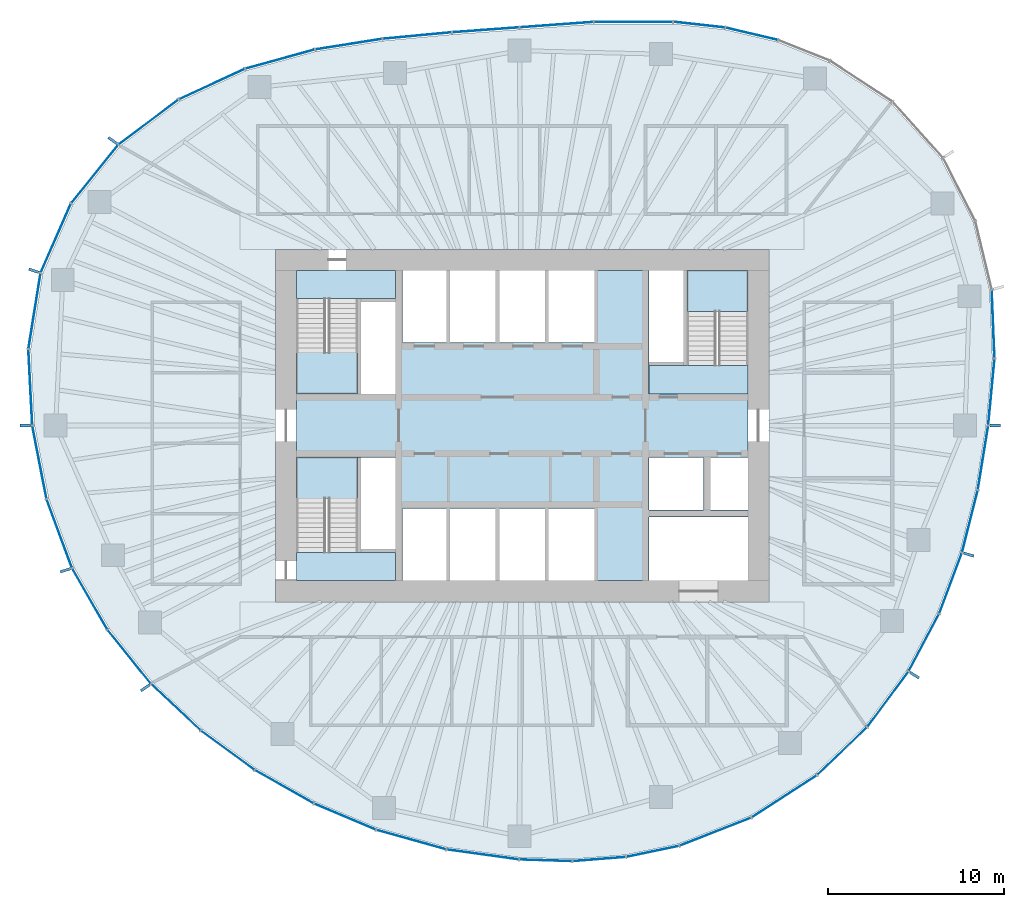
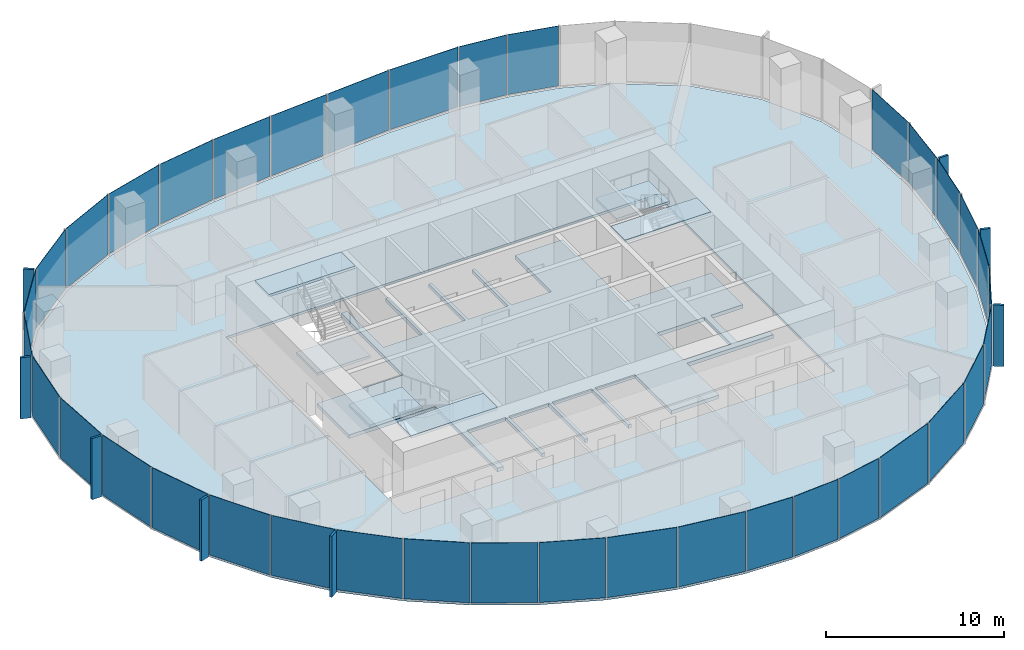
# One storey, part 7 of 12: 45 plates, 8 slabs, 21 elements without a shape of their own.
"""IFC4 building model written with IfcOpenShell, lengths in metres."""

from ifc_helpers import new_model, si_unit, direction, frame, origin, origin_2d, place, context, subcontext, project, spatial, polyline, rectangle, outline, extrude, material, layer, layer_set, type_object, element, aggregate, save


model = new_model("IFC4")

# Units and contexts
model_context = context("Model", 3, precision=1e-05, world=origin(), true_north=direction((0.0, 1.0)))
body_context = subcontext(model_context, "Body", "Model", "MODEL_VIEW")
ifc_project = project(units=[si_unit("LENGTHUNIT", "METRE"), si_unit("AREAUNIT", "SQUARE_METRE"), si_unit("VOLUMEUNIT", "CUBIC_METRE"), si_unit("PLANEANGLEUNIT", "RADIAN"), si_unit("MASSUNIT", "GRAM", prefix="KILO")], contexts=[model_context])

# Site, building, storey
site_placement = place(None, origin())
site = spatial("IfcSite", under=ifc_project, at=site_placement, CompositionType="ELEMENT")
building_placement = place(site_placement, origin())
building = spatial("IfcBuilding", under=site, at=building_placement, Name="Ghaith Harvest Tower", CompositionType="ELEMENT")
storey_placement = place(building_placement, frame((0.0, 0.0, 207.39990234375)))
storey = spatial("IfcBuildingStorey", under=building, at=storey_placement, Name="L45", CompositionType="ELEMENT", Elevation=207.39990234375)

# Curtain wall, plates
ifc_material_1 = material(Name="Black anodised aluminium and fritted glass", Category="aluminium")
curtain_wall_type = type_object("IfcCurtainWallType", Name="CW-H CURTAIN WALL", PredefinedType="NOTDEFINED", material=ifc_material_1)
curtain_wall_1_placement = place(storey_placement, origin())
curtain_wall_1 = element("IfcCurtainWall", 1, at=curtain_wall_1_placement, inside=storey, type_object=curtain_wall_type, Name="Curtain wall CW-H bay 01 L45", PredefinedType="NOTDEFINED")
ifc_material_2 = material(Name="Glass, dark solar-control fritted double glazed unit", Category="glass")
ifc_layer_1 = layer(ifc_material_2, 0.030029296875)
ifc_layer_set_1 = layer_set([ifc_layer_1], Name="CW-H VISION PANEL")
plate_type_1 = type_object("IfcPlateType", Name="CW-H VISION PANEL", PredefinedType="CURTAIN_PANEL", material=ifc_layer_set_1)
plate_1_placement = place(storey_placement, frame((26.624755859375, 1.89794921875, 0.080078125), z_axis=(0.0, 0.0, 1.0), x_axis=(0.094301909937, 0.995543645343, 0.0)))
plate_1 = element("IfcPlate", 2, at=plate_1_placement, type_object=plate_type_1, Name="CW-H glass unit 1 bay 01 L45", PredefinedType="CURTAIN_PANEL", context=body_context, shape_type="SweptSolid", body=[
    extrude(rectangle(XDim=3.73291015625, YDim=0.030029296875, at=origin_2d()), origin(), (0.0, 0.0, 1.0), 4.1201171875),
])
plate_2_placement = place(storey_placement, frame((26.7255859375, 5.74853515625, 0.080078125), z_axis=(0.0, 0.0, 1.0), x_axis=(-0.040462173218, 0.999181070947, 0.0)))
plate_2 = element("IfcPlate", 3, at=plate_2_placement, type_object=plate_type_1, Name="CW-H glass unit 2 bay 01 L45", PredefinedType="CURTAIN_PANEL", context=body_context, shape_type="SweptSolid", body=[
    extrude(rectangle(XDim=3.82861328125, YDim=0.030029296875, at=origin_2d()), origin(), (0.0, 0.0, 1.0), 4.1201171875),
])
aggregate(curtain_wall_1, [plate_1, plate_2])

curtain_wall_2_placement = place(storey_placement, origin())
curtain_wall_2 = element("IfcCurtainWall", 4, at=curtain_wall_2_placement, inside=storey, type_object=curtain_wall_type, Name="Curtain wall CW-H bay 04 L45", PredefinedType="NOTDEFINED")
plate_3_placement = place(storey_placement, frame((13.027099609375, 22.225341796875, 0.080078125), z_axis=(0.0, 0.0, 1.0), x_axis=(-0.973266235028, 0.229679854916, 0.0)))
plate_3 = element("IfcPlate", 5, at=plate_3_placement, type_object=plate_type_1, Name="CW-H glass unit 2 bay 04 L45", PredefinedType="CURTAIN_PANEL", context=body_context, shape_type="SweptSolid", body=[
    extrude(rectangle(XDim=3.00244140625, YDim=0.030029296875, at=origin_2d()), origin(), (0.0, 0.0, 1.0), 4.1201171875),
])
plate_4_placement = place(storey_placement, frame((10.045654296875, 22.744384765625, 0.080078125), z_axis=(0.0, 0.0, 1.0), x_axis=(-0.993865217442, 0.11059805405, 0.0)))
plate_4 = element("IfcPlate", 6, at=plate_4_placement, type_object=plate_type_1, Name="CW-H glass unit 3 bay 04 L45", PredefinedType="CURTAIN_PANEL", context=body_context, shape_type="SweptSolid", body=[
    extrude(rectangle(XDim=2.901123046875, YDim=0.030029296875, at=origin_2d()), origin(), (0.0, 0.0, 1.0), 4.1201171875),
])
aggregate(curtain_wall_2, [plate_3, plate_4])

curtain_wall_3_placement = place(storey_placement, origin())
curtain_wall_3 = element("IfcCurtainWall", 7, at=curtain_wall_3_placement, inside=storey, type_object=curtain_wall_type, Name="Curtain wall CW-H bay 05 L45", PredefinedType="NOTDEFINED")
plate_5_placement = place(storey_placement, frame((6.31201171875, 22.904296875, 0.080078125), z_axis=(0.0, 0.0, 1.0), x_axis=(-0.999997643645, -0.002170876291, 0.0)))
plate_5 = element("IfcPlate", 8, at=plate_5_placement, type_object=plate_type_1, Name="CW-H glass unit 1 bay 05 L45", PredefinedType="CURTAIN_PANEL", context=body_context, shape_type="SweptSolid", body=[
    extrude(rectangle(XDim=4.4248046875, YDim=0.030029296875, at=origin_2d()), origin(), (0.0, 0.0, 1.0), 4.1201171875),
])
plate_6_placement = place(storey_placement, frame((1.952392578125, 22.744873046875, 0.080078125), z_axis=(0.0, 0.0, 1.0), x_axis=(-0.997324570719, -0.073100619976, 0.0)))
plate_6 = element("IfcPlate", 9, at=plate_6_placement, type_object=plate_type_1, Name="CW-H glass unit 2 bay 05 L45", PredefinedType="CURTAIN_PANEL", context=body_context, shape_type="SweptSolid", body=[
    extrude(rectangle(XDim=4.1455078125, YDim=0.030029296875, at=origin_2d()), origin(), (0.0, 0.0, 1.0), 4.1201171875),
])
aggregate(curtain_wall_3, [plate_5, plate_6])

curtain_wall_4_placement = place(storey_placement, origin())
curtain_wall_4 = element("IfcCurtainWall", 10, at=curtain_wall_4_placement, inside=storey, type_object=curtain_wall_type, Name="Curtain wall CW-H bay 06 L45", PredefinedType="NOTDEFINED")
plate_7_placement = place(storey_placement, frame((-2.0693359375, 22.450439453125, 0.080078125), z_axis=(0.0, 0.0, 1.0), x_axis=(-0.997334393671, -0.072966479985, 0.0)))
plate_7 = element("IfcPlate", 11, at=plate_7_placement, type_object=plate_type_1, Name="CW-H glass unit 1 bay 06 L45", PredefinedType="CURTAIN_PANEL", context=body_context, shape_type="SweptSolid", body=[
    extrude(rectangle(XDim=3.759765625, YDim=0.030029296875, at=origin_2d()), origin(), (0.0, 0.0, 1.0), 4.1201171875),
])
plate_8_placement = place(storey_placement, frame((-5.954345703125, 22.12548828125, 0.080078125), z_axis=(0.0, 0.0, 1.0), x_axis=(-0.995631991968, -0.093364535934, 0.0)))
plate_8 = element("IfcPlate", 12, at=plate_8_placement, type_object=plate_type_1, Name="CW-H glass unit 2 bay 06 L45", PredefinedType="CURTAIN_PANEL", context=body_context, shape_type="SweptSolid", body=[
    extrude(rectangle(XDim=3.87744140625, YDim=0.030029296875, at=origin_2d()), origin(), (0.0, 0.0, 1.0), 4.1201171875),
])
aggregate(curtain_wall_4, [plate_7, plate_8])

curtain_wall_5_placement = place(storey_placement, origin())
curtain_wall_5 = element("IfcCurtainWall", 13, at=curtain_wall_5_placement, inside=storey, type_object=curtain_wall_type, Name="Curtain wall CW-H bay 07 L45", PredefinedType="NOTDEFINED")
plate_9_placement = place(storey_placement, frame((-9.83837890625, 21.638671875, 0.080078125), z_axis=(0.0, 0.0, 1.0), x_axis=(-0.98777033338, -0.155915901993, 0.0)))
plate_9 = element("IfcPlate", 14, at=plate_9_placement, type_object=plate_type_1, Name="CW-H glass unit 1 bay 07 L45", PredefinedType="CURTAIN_PANEL", context=body_context, shape_type="SweptSolid", body=[
    extrude(rectangle(XDim=3.795166015625, YDim=0.030029296875, at=origin_2d()), origin(), (0.0, 0.0, 1.0), 4.1201171875),
])
plate_10_placement = place(storey_placement, frame((-13.736572265625, 20.78955078125, 0.080078125), z_axis=(0.0, 0.0, 1.0), x_axis=(-0.964034113875, -0.26577853052, 0.0)))
plate_10 = element("IfcPlate", 15, at=plate_10_placement, type_object=plate_type_1, Name="CW-H glass unit 2 bay 07 L45", PredefinedType="CURTAIN_PANEL", context=body_context, shape_type="SweptSolid", body=[
    extrude(rectangle(XDim=4.03662109375, YDim=0.030029296875, at=origin_2d()), origin(), (0.0, 0.0, 1.0), 4.1201171875),
])
aggregate(curtain_wall_5, [plate_9, plate_10])

curtain_wall_6_placement = place(storey_placement, origin())
curtain_wall_6 = element("IfcCurtainWall", 16, at=curtain_wall_6_placement, inside=storey, type_object=curtain_wall_type, Name="Curtain wall CW-H bay 08 L45", PredefinedType="NOTDEFINED")
plate_11_placement = place(storey_placement, frame((-17.608154296875, 19.370849609375, 0.080078125), z_axis=(0.0, 0.0, 1.0), x_axis=(-0.907814470414, -0.419372015408, 0.0)))
plate_11 = element("IfcPlate", 17, at=plate_11_placement, type_object=plate_type_1, Name="CW-H glass unit 1 bay 08 L45", PredefinedType="CURTAIN_PANEL", context=body_context, shape_type="SweptSolid", body=[
    extrude(rectangle(XDim=4.077392578125, YDim=0.030029296875, at=origin_2d()), origin(), (0.0, 0.0, 1.0), 4.1201171875),
])
plate_12_placement = place(storey_placement, frame((-21.20166015625, 17.219482421875, 0.080078125), z_axis=(0.0, 0.0, 1.0), x_axis=(-0.800067053187, -0.599910585341, 0.0)))
plate_12 = element("IfcPlate", 18, at=plate_12_placement, type_object=plate_type_1, Name="CW-H glass unit 2 bay 08 L45", PredefinedType="CURTAIN_PANEL", context=body_context, shape_type="SweptSolid", body=[
    extrude(rectangle(XDim=4.18603515625, YDim=0.030029296875, at=origin_2d()), origin(), (0.0, 0.0, 1.0), 4.1201171875),
])
aggregate(curtain_wall_6, [plate_11, plate_12])

curtain_wall_7_placement = place(storey_placement, origin())
curtain_wall_7 = element("IfcCurtainWall", 19, at=curtain_wall_7_placement, inside=storey, type_object=curtain_wall_type, Name="Curtain wall CW-H bay 09 L45", PredefinedType="NOTDEFINED")
plate_13_placement = place(storey_placement, frame((-24.25390625, 14.270263671875, 0.080078125), z_axis=(0.0, 0.0, 1.0), x_axis=(-0.627547637499, -0.778578167347, 0.0)))
plate_13 = element("IfcPlate", 20, at=plate_13_placement, type_object=plate_type_1, Name="CW-H glass unit 1 bay 09 L45", PredefinedType="CURTAIN_PANEL", context=body_context, shape_type="SweptSolid", body=[
    extrude(rectangle(XDim=4.208740234375, YDim=0.030029296875, at=origin_2d()), origin(), (0.0, 0.0, 1.0), 4.1201171875),
])
plate_14_placement = place(storey_placement, frame((-26.462646484375, 10.63037109375, 0.080078125), z_axis=(0.0, 0.0, 1.0), x_axis=(-0.40121291108, -0.915984825192, 0.0)))
plate_14 = element("IfcPlate", 21, at=plate_14_placement, type_object=plate_type_1, Name="CW-H glass unit 2 bay 09 L45", PredefinedType="CURTAIN_PANEL", context=body_context, shape_type="SweptSolid", body=[
    extrude(rectangle(XDim=4.22216796875, YDim=0.030029296875, at=origin_2d()), origin(), (0.0, 0.0, 1.0), 4.1201171875),
])
aggregate(curtain_wall_7, [plate_13, plate_14])

curtain_wall_8_placement = place(storey_placement, origin())
curtain_wall_8 = element("IfcCurtainWall", 22, at=curtain_wall_8_placement, inside=storey, type_object=curtain_wall_type, Name="Curtain wall CW-H bay 10 L45", PredefinedType="NOTDEFINED")
plate_15_placement = place(storey_placement, frame((-27.670654296875, 6.49658203125, 0.080078125), z_axis=(0.0, 0.0, 1.0), x_axis=(-0.157514341695, -0.987516699687, 0.0)))
plate_15 = element("IfcPlate", 23, at=plate_15_placement, type_object=plate_type_1, Name="CW-H glass unit 1 bay 10 L45", PredefinedType="CURTAIN_PANEL", context=body_context, shape_type="SweptSolid", body=[
    extrude(rectangle(XDim=4.301513671875, YDim=0.030029296875, at=origin_2d()), origin(), (0.0, 0.0, 1.0), 4.1201171875),
])
plate_16_placement = place(storey_placement, frame((-27.905517578125, 2.16650390625, 0.080078125), z_axis=(0.0, 0.0, 1.0), x_axis=(0.050894857592, -0.998704016949, 0.0)))
plate_16 = element("IfcPlate", 24, at=plate_16_placement, type_object=plate_type_1, Name="CW-H glass unit 2 bay 10 L45", PredefinedType="CURTAIN_PANEL", context=body_context, shape_type="SweptSolid", body=[
    extrude(rectangle(XDim=4.2587890625, YDim=0.030029296875, at=origin_2d()), origin(), (0.0, 0.0, 1.0), 4.1201171875),
])
aggregate(curtain_wall_8, [plate_15, plate_16])

curtain_wall_9_placement = place(storey_placement, origin())
curtain_wall_9 = element("IfcCurtainWall", 25, at=curtain_wall_9_placement, inside=storey, type_object=curtain_wall_type, Name="Curtain wall CW-H bay 11 L45", PredefinedType="NOTDEFINED")
plate_17_placement = place(storey_placement, frame((-27.39013671875, -2.0869140625, 0.080078125), z_axis=(0.0, 0.0, 1.0), x_axis=(0.190426809322, -0.981701395686, 0.0)))
plate_17 = element("IfcPlate", 26, at=plate_17_placement, type_object=plate_type_1, Name="CW-H glass unit 1 bay 11 L45", PredefinedType="CURTAIN_PANEL", context=body_context, shape_type="SweptSolid", body=[
    extrude(rectangle(XDim=4.171630859375, YDim=0.030029296875, at=origin_2d()), origin(), (0.0, 0.0, 1.0), 4.1201171875),
])
plate_18_placement = place(storey_placement, frame((-26.261962890625, -6.1337890625, 0.080078125), z_axis=(0.0, 0.0, 1.0), x_axis=(0.346303431688, -0.938122557666, 0.0)))
plate_18 = element("IfcPlate", 27, at=plate_18_placement, type_object=plate_type_1, Name="CW-H glass unit 2 bay 11 L45", PredefinedType="CURTAIN_PANEL", context=body_context, shape_type="SweptSolid", body=[
    extrude(rectangle(XDim=4.098388671875, YDim=0.030029296875, at=origin_2d()), origin(), (0.0, 0.0, 1.0), 4.1201171875),
])
aggregate(curtain_wall_9, [plate_17, plate_18])

curtain_wall_10_placement = place(storey_placement, origin())
curtain_wall_10 = element("IfcCurtainWall", 28, at=curtain_wall_10_placement, inside=storey, type_object=curtain_wall_type, Name="Curtain wall CW-H bay 12 L45", PredefinedType="NOTDEFINED")
plate_19_placement = place(storey_placement, frame((-24.535888671875, -9.838623046875, 0.080078125), z_axis=(0.0, 0.0, 1.0), x_axis=(0.49818018945, -0.867073525625, 0.0)))
plate_19 = element("IfcPlate", 29, at=plate_19_placement, type_object=plate_type_1, Name="CW-H glass unit 1 bay 12 L45", PredefinedType="CURTAIN_PANEL", context=body_context, shape_type="SweptSolid", body=[
    extrude(rectangle(XDim=3.945068359375, YDim=0.030029296875, at=origin_2d()), origin(), (0.0, 0.0, 1.0), 4.1201171875),
])
plate_20_placement = place(storey_placement, frame((-22.29736328125, -13.119140625, 0.080078125), z_axis=(0.0, 0.0, 1.0), x_axis=(0.626957061695, -0.779053812513, 0.0)))
plate_20 = element("IfcPlate", 30, at=plate_20_placement, type_object=plate_type_1, Name="CW-H glass unit 2 bay 12 L45", PredefinedType="CURTAIN_PANEL", context=body_context, shape_type="SweptSolid", body=[
    extrude(rectangle(XDim=3.8623046875, YDim=0.030029296875, at=origin_2d()), origin(), (0.0, 0.0, 1.0), 4.1201171875),
])
aggregate(curtain_wall_10, [plate_19, plate_20])

curtain_wall_11_placement = place(storey_placement, origin())
curtain_wall_11 = element("IfcCurtainWall", 31, at=curtain_wall_11_placement, inside=storey, type_object=curtain_wall_type, Name="Curtain wall CW-H bay 13 L45", PredefinedType="NOTDEFINED")
plate_21_placement = place(storey_placement, frame((-19.649658203125, -15.98046875, 0.080078125), z_axis=(0.0, 0.0, 1.0), x_axis=(0.729016864325, -0.684495735217, 0.0)))
plate_21 = element("IfcPlate", 32, at=plate_21_placement, type_object=plate_type_1, Name="CW-H glass unit 1 bay 13 L45", PredefinedType="CURTAIN_PANEL", context=body_context, shape_type="SweptSolid", body=[
    extrude(rectangle(XDim=3.793212890625, YDim=0.030029296875, at=origin_2d()), origin(), (0.0, 0.0, 1.0), 4.1201171875),
])
plate_22_placement = place(storey_placement, frame((-16.707763671875, -18.42431640625, 0.080078125), z_axis=(0.0, 0.0, 1.0), x_axis=(0.80736351134, -0.590054370848, 0.0)))
plate_22 = element("IfcPlate", 33, at=plate_22_placement, type_object=plate_type_1, Name="CW-H glass unit 2 bay 13 L45", PredefinedType="CURTAIN_PANEL", context=body_context, shape_type="SweptSolid", body=[
    extrude(rectangle(XDim=3.710693359375, YDim=0.030029296875, at=origin_2d()), origin(), (0.0, 0.0, 1.0), 4.1201171875),
])
aggregate(curtain_wall_11, [plate_21, plate_22])

curtain_wall_12_placement = place(storey_placement, origin())
curtain_wall_12 = element("IfcCurtainWall", 34, at=curtain_wall_12_placement, inside=storey, type_object=curtain_wall_type, Name="Curtain wall CW-H bay 14 L45", PredefinedType="NOTDEFINED")
plate_23_placement = place(storey_placement, frame((-13.496337890625, -20.496826171875, 0.080078125), z_axis=(0.0, 0.0, 1.0), x_axis=(0.869715300233, -0.493553742303, 0.0)))
plate_23 = element("IfcPlate", 35, at=plate_23_placement, type_object=plate_type_1, Name="CW-H glass unit 1 bay 14 L45", PredefinedType="CURTAIN_PANEL", context=body_context, shape_type="SweptSolid", body=[
    extrude(rectangle(XDim=3.785888671875, YDim=0.030029296875, at=origin_2d()), origin(), (0.0, 0.0, 1.0), 4.1201171875),
])
plate_24_placement = place(storey_placement, frame((-10.050537109375, -22.1962890625, 0.080078125), z_axis=(0.0, 0.0, 1.0), x_axis=(0.921181516072, -0.389133157734, 0.0)))
plate_24 = element("IfcPlate", 36, at=plate_24_placement, type_object=plate_type_1, Name="CW-H glass unit 2 bay 14 L45", PredefinedType="CURTAIN_PANEL", context=body_context, shape_type="SweptSolid", body=[
    extrude(rectangle(XDim=3.751220703125, YDim=0.030029296875, at=origin_2d()), origin(), (0.0, 0.0, 1.0), 4.1201171875),
])
aggregate(curtain_wall_12, [plate_23, plate_24])

curtain_wall_13_placement = place(storey_placement, origin())
curtain_wall_13 = element("IfcCurtainWall", 37, at=curtain_wall_13_placement, inside=storey, type_object=curtain_wall_type, Name="Curtain wall CW-H bay 15 L45", PredefinedType="NOTDEFINED")
plate_25_placement = place(storey_placement, frame((-6.291015625, -23.49853515625, 0.080078125), z_axis=(0.0, 0.0, 1.0), x_axis=(0.963162861349, -0.268918765647, 0.0)))
plate_25 = element("IfcPlate", 38, at=plate_25_placement, type_object=plate_type_1, Name="CW-H glass unit 1 bay 15 L45", PredefinedType="CURTAIN_PANEL", context=body_context, shape_type="SweptSolid", body=[
    extrude(rectangle(XDim=4.062744140625, YDim=0.030029296875, at=origin_2d()), origin(), (0.0, 0.0, 1.0), 4.1201171875),
])
plate_26_placement = place(storey_placement, frame((-2.232177734375, -24.34033203125, 0.080078125), z_axis=(0.0, 0.0, 1.0), x_axis=(0.990612268407, -0.136701622823, 0.0)))
plate_26 = element("IfcPlate", 39, at=plate_26_placement, type_object=plate_type_1, Name="CW-H glass unit 2 bay 15 L45", PredefinedType="CURTAIN_PANEL", context=body_context, shape_type="SweptSolid", body=[
    extrude(rectangle(XDim=4.08642578125, YDim=0.030029296875, at=origin_2d()), origin(), (0.0, 0.0, 1.0), 4.1201171875),
])
aggregate(curtain_wall_13, [plate_25, plate_26])

curtain_wall_14_placement = place(storey_placement, origin())
curtain_wall_14 = element("IfcCurtainWall", 40, at=curtain_wall_14_placement, inside=storey, type_object=curtain_wall_type, Name="Curtain wall CW-H bay 16 L45", PredefinedType="NOTDEFINED")
plate_27_placement = place(storey_placement, frame((1.339599609375, -24.67333984375, 0.080078125), z_axis=(0.0, 0.0, 1.0), x_axis=(0.99949125523, -0.031894054587, 0.0)))
plate_27 = element("IfcPlate", 41, at=plate_27_placement, type_object=plate_type_1, Name="CW-H glass unit 1 bay 16 L45", PredefinedType="CURTAIN_PANEL", context=body_context, shape_type="SweptSolid", body=[
    extrude(rectangle(XDim=2.937744140625, YDim=0.030029296875, at=origin_2d()), origin(), (0.0, 0.0, 1.0), 4.1201171875),
])
plate_28_placement = place(storey_placement, frame((4.37060546875, -24.60205078125, 0.080078125), z_axis=(0.0, 0.0, 1.0), x_axis=(0.996945418782, 0.078101421048, 0.0)))
plate_28 = element("IfcPlate", 42, at=plate_28_placement, type_object=plate_type_1, Name="CW-H glass unit 2 bay 16 L45", PredefinedType="CURTAIN_PANEL", context=body_context, shape_type="SweptSolid", body=[
    extrude(rectangle(XDim=2.974853515625, YDim=0.030029296875, at=origin_2d()), origin(), (0.0, 0.0, 1.0), 4.1201171875),
])
plate_29_placement = place(storey_placement, frame((7.40478515625, -24.16650390625, 0.080078125), z_axis=(0.0, 0.0, 1.0), x_axis=(0.978788872874, 0.204871526422, 0.0)))
plate_29 = element("IfcPlate", 43, at=plate_29_placement, type_object=plate_type_1, Name="CW-H glass unit 3 bay 16 L45", PredefinedType="CURTAIN_PANEL", context=body_context, shape_type="SweptSolid", body=[
    extrude(rectangle(XDim=3.00830078125, YDim=0.030029296875, at=origin_2d()), origin(), (0.0, 0.0, 1.0), 4.1201171875),
])
aggregate(curtain_wall_14, [plate_27, plate_28, plate_29])

curtain_wall_15_placement = place(storey_placement, origin())
curtain_wall_15 = element("IfcCurtainWall", 44, at=curtain_wall_15_placement, inside=storey, type_object=curtain_wall_type, Name="Curtain wall CW-H bay 17 L45", PredefinedType="NOTDEFINED")
plate_30_placement = place(storey_placement, frame((10.963134765625, -23.048583984375, 0.080078125), z_axis=(0.0, 0.0, 1.0), x_axis=(0.931161161765, 0.364607858966, 0.0)))
plate_30 = element("IfcPlate", 45, at=plate_30_placement, type_object=plate_type_1, Name="CW-H glass unit 1 bay 17 L45", PredefinedType="CURTAIN_PANEL", context=body_context, shape_type="SweptSolid", body=[
    extrude(rectangle(XDim=4.316650390625, YDim=0.030029296875, at=origin_2d()), origin(), (0.0, 0.0, 1.0), 4.1201171875),
])
plate_31_placement = place(storey_placement, frame((14.869384765625, -21.042724609375, 0.080078125), z_axis=(0.0, 0.0, 1.0), x_axis=(0.839305300126, 0.543660384045, 0.0)))
plate_31 = element("IfcPlate", 46, at=plate_31_placement, type_object=plate_type_1, Name="CW-H glass unit 2 bay 17 L45", PredefinedType="CURTAIN_PANEL", context=body_context, shape_type="SweptSolid", body=[
    extrude(rectangle(XDim=4.35107421875, YDim=0.030029296875, at=origin_2d()), origin(), (0.0, 0.0, 1.0), 4.1201171875),
])
aggregate(curtain_wall_15, [plate_30, plate_31])

curtain_wall_16_placement = place(storey_placement, origin())
curtain_wall_16 = element("IfcCurtainWall", 47, at=curtain_wall_16_placement, inside=storey, type_object=curtain_wall_type, Name="Curtain wall CW-H bay 18 L45", PredefinedType="NOTDEFINED")
plate_32_placement = place(storey_placement, frame((18.151611328125, -18.47705078125, 0.080078125), z_axis=(0.0, 0.0, 1.0), x_axis=(0.722532585058, 0.691336866896, 0.0)))
plate_32 = element("IfcPlate", 48, at=plate_32_placement, type_object=plate_type_1, Name="CW-H glass unit 1 bay 18 L45", PredefinedType="CURTAIN_PANEL", context=body_context, shape_type="SweptSolid", body=[
    extrude(rectangle(XDim=3.85791015625, YDim=0.030029296875, at=origin_2d()), origin(), (0.0, 0.0, 1.0), 4.1201171875),
])
plate_33_placement = place(storey_placement, frame((20.74853515625, -15.53369140625, 0.080078125), z_axis=(0.0, 0.0, 1.0), x_axis=(0.596018639888, 0.802970597784, 0.0)))
plate_33 = element("IfcPlate", 49, at=plate_33_placement, type_object=plate_type_1, Name="CW-H glass unit 2 bay 18 L45", PredefinedType="CURTAIN_PANEL", context=body_context, shape_type="SweptSolid", body=[
    extrude(rectangle(XDim=3.8603515625, YDim=0.030029296875, at=origin_2d()), origin(), (0.0, 0.0, 1.0), 4.1201171875),
])
aggregate(curtain_wall_16, [plate_32, plate_33])

curtain_wall_17_placement = place(storey_placement, origin())
curtain_wall_17 = element("IfcCurtainWall", 50, at=curtain_wall_17_placement, inside=storey, type_object=curtain_wall_type, Name="Curtain wall CW-H bay 19 L45", PredefinedType="NOTDEFINED")
plate_34_placement = place(storey_placement, frame((22.79052734375, -12.316162109375, 0.080078125), z_axis=(0.0, 0.0, 1.0), x_axis=(0.46864379564, 0.883387226989, 0.0)))
plate_34 = element("IfcPlate", 51, at=plate_34_placement, type_object=plate_type_1, Name="CW-H glass unit 1 bay 19 L45", PredefinedType="CURTAIN_PANEL", context=body_context, shape_type="SweptSolid", body=[
    extrude(rectangle(XDim=3.623291015625, YDim=0.030029296875, at=origin_2d()), origin(), (0.0, 0.0, 1.0), 4.1201171875),
])
plate_35_placement = place(storey_placement, frame((24.30712890625, -8.946533203125, 0.080078125), z_axis=(0.0, 0.0, 1.0), x_axis=(0.350480749824, 0.936569935457, 0.0)))
plate_35 = element("IfcPlate", 52, at=plate_35_placement, type_object=plate_type_1, Name="CW-H glass unit 2 bay 19 L45", PredefinedType="CURTAIN_PANEL", context=body_context, shape_type="SweptSolid", body=[
    extrude(rectangle(XDim=3.62255859375, YDim=0.030029296875, at=origin_2d()), origin(), (0.0, 0.0, 1.0), 4.1201171875),
])
aggregate(curtain_wall_17, [plate_34, plate_35])

curtain_wall_18_placement = place(storey_placement, origin())
curtain_wall_18 = element("IfcCurtainWall", 53, at=curtain_wall_18_placement, inside=storey, type_object=curtain_wall_type, Name="Curtain wall CW-H bay 20 L45", PredefinedType="NOTDEFINED")
plate_36_placement = place(storey_placement, frame((25.404541015625, -5.43701171875, 0.080078125), z_axis=(0.0, 0.0, 1.0), x_axis=(0.244925945134, 0.969541789404, 0.0)))
plate_36 = element("IfcPlate", 54, at=plate_36_placement, type_object=plate_type_1, Name="CW-H glass unit 1 bay 20 L45", PredefinedType="CURTAIN_PANEL", context=body_context, shape_type="SweptSolid", body=[
    extrude(rectangle(XDim=3.583251953125, YDim=0.030029296875, at=origin_2d()), origin(), (0.0, 0.0, 1.0), 4.1201171875),
])
plate_37_placement = place(storey_placement, frame((26.14892578125, -1.83056640625, 0.080078125), z_axis=(0.0, 0.0, 1.0), x_axis=(0.159600748097, 0.987181645497, 0.0)))
plate_37 = element("IfcPlate", 55, at=plate_37_placement, type_object=plate_type_1, Name="CW-H glass unit 2 bay 20 L45", PredefinedType="CURTAIN_PANEL", context=body_context, shape_type="SweptSolid", body=[
    extrude(rectangle(XDim=3.628662109375, YDim=0.030029296875, at=origin_2d()), origin(), (0.0, 0.0, 1.0), 4.1201171875),
])
aggregate(curtain_wall_18, [plate_36, plate_37])

# Slabs
ifc_material_3 = material(Name="Concrete C40/50", Category="concrete")
ifc_layer_2 = layer(ifc_material_3, 0.169921875)
ifc_layer_set_2 = layer_set([ifc_layer_2], Name="FLOOR SLAB 170")
slab_type_1 = type_object("IfcSlabType", Name="FLOOR SLAB 170", PredefinedType="FLOOR", material=ifc_layer_set_2)
slab_1_placement = place(storey_placement, frame((0.0, 0.0, -0.169921875)))
element("IfcSlab", 56, at=slab_1_placement, inside=storey, type_object=slab_type_1, Name="Floor slab L45", PredefinedType="FLOOR", context=body_context, shape_type="SweptSolid", body=[
    extrude(outline(polyline([(26.324951171875, 0.0), (26.685791015625, 3.779052734375), (26.531005859375, 7.668212890625), (25.597900390625, 11.55615234375), (23.77294921875, 15.12939453125), (20.923095703125, 18.295166015625), (17.382080078125, 20.612548828125), (14.460693359375, 21.771484375), (11.47265625, 22.47265625), (8.522216796875, 22.796875), (4.03857421875, 22.78125), (-0.15380859375, 22.470458984375), (-3.963134765625, 22.192138671875), (-7.8837890625, 21.827880859375), (-11.694580078125, 21.2314453125), (-15.6474609375, 20.147705078125), (-19.408203125, 18.41650390625), (-22.809814453125, 15.87109375), (-25.491943359375, 12.547607421875), (-27.211181640625, 8.623779296875), (-27.897216796875, 4.314697265625), (-27.675048828125, 0.0), (-26.86669921875, -4.155517578125), (-25.424072265625, -8.057373046875), (-23.425537109375, -11.530517578125), (-20.963134765625, -14.586181640625), (-18.15087890625, -17.223388671875), (-15.10400390625, -19.447998046875), (-11.75732421875, -21.345703125), (-8.2451171875, -22.82861328125), (-4.27490234375, -23.9375), (-0.167724609375, -24.505126953125), (2.833984375, -24.602294921875), (5.865234375, -24.3662109375), (8.8740234375, -23.73779296875), (12.949462890625, -22.1435546875), (16.651611328125, -19.746337890625), (19.48388671875, -17.036865234375), (21.821533203125, -13.887451171875), (23.548828125, -10.631103515625), (24.840576171875, -7.179443359375), (25.734375, -3.644287109375), (26.324951171875, 0.0)]), holes=[polyline([(-14.0, -10.0), (14.0, -10.0), (14.0, 10.0), (-14.0, 10.0), (-14.0, -10.0)])]), origin(), (0.0, 0.0, 1.0), 0.169921875),
])
ifc_material_4 = material(Name="Concrete C40/50", Category="concrete")
ifc_layer_3 = layer(ifc_material_4, 0.25)
ifc_layer_set_3 = layer_set([ifc_layer_3], Name="FLOOR SLAB 250")
slab_type_2 = type_object("IfcSlabType", Name="FLOOR SLAB 250", PredefinedType="FLOOR", material=ifc_layer_set_3)
slab_2_placement = place(storey_placement, frame((0.0, 0.0, -0.25)))
element("IfcSlab", 57, at=slab_2_placement, inside=storey, type_object=slab_type_2, Name="Core slab L45", PredefinedType="FLOOR", context=body_context, shape_type="SweptSolid", body=[
    extrude(outline(polyline([(-12.800048828125, 1.800048828125), (-7.199951171875, 1.800048828125), (-7.199951171875, 8.800048828125), (-6.800048828125, 8.800048828125), (-6.800048828125, 4.699951171875), (-4.300048828125, 4.699951171875), (-4.300048828125, 8.800048828125), (-4.10009765625, 8.800048828125), (-4.10009765625, 4.699951171875), (-1.5, 4.699951171875), (-1.5, 8.800048828125), (-1.300048828125, 8.800048828125), (-1.300048828125, 4.699951171875), (1.300048828125, 4.699951171875), (1.300048828125, 8.800048828125), (1.5, 8.800048828125), (1.5, 4.699951171875), (4.10009765625, 4.699951171875), (4.10009765625, 8.800048828125), (7.199951171875, 8.800048828125), (7.199951171875, 1.800048828125), (12.800048828125, 1.800048828125), (12.800048828125, -1.800048828125), (10.699951171875, -1.800048828125), (10.699951171875, -4.800048828125), (12.800048828125, -4.800048828125), (12.800048828125, -5.199951171875), (7.199951171875, -5.199951171875), (7.199951171875, -8.800048828125), (4.10009765625, -8.800048828125), (4.10009765625, -4.699951171875), (1.5, -4.699951171875), (1.5, -8.800048828125), (1.300048828125, -8.800048828125), (1.300048828125, -4.699951171875), (-1.300048828125, -4.699951171875), (-1.300048828125, -8.800048828125), (-1.5, -8.800048828125), (-1.5, -4.699951171875), (-4.10009765625, -4.699951171875), (-4.10009765625, -8.800048828125), (-4.300048828125, -8.800048828125), (-4.300048828125, -4.699951171875), (-6.800048828125, -4.699951171875), (-6.800048828125, -8.800048828125), (-7.199951171875, -8.800048828125), (-7.199951171875, -1.800048828125), (-12.800048828125, -1.800048828125), (-12.800048828125, 1.800048828125)]), holes=[polyline([(10.300048828125, -4.800048828125), (10.300048828125, -1.800048828125), (7.199951171875, -1.800048828125), (7.199951171875, -4.800048828125), (10.300048828125, -4.800048828125)])]), origin(), (0.0, 0.0, 1.0), 0.25),
])

# Stair, slabs
ifc_material_5 = material(Name="Concrete C40/50, precast", Category="concrete")
stair_type = type_object("IfcStairType", Name="CORE STAIR 24R", PredefinedType="HALF_TURN_STAIR", material=ifc_material_5)
stair_1_placement = place(storey_placement, origin())
stair_1 = element("IfcStair", 58, at=stair_1_placement, inside=storey, type_object=stair_type, Name="Stair ST1 L45", PredefinedType="HALF_TURN_STAIR")
ifc_material_6 = material(Name="Concrete C40/50, precast", Category="concrete")
ifc_layer_4 = layer(ifc_material_6, 0.179931640625)
ifc_layer_set_4 = layer_set([ifc_layer_4], Name="STAIR LANDING 180")
slab_type_3 = type_object("IfcSlabType", Name="STAIR LANDING 180", PredefinedType="LANDING", material=ifc_layer_set_4)
slab_3_placement = place(storey_placement, frame((0.0, 0.0, 1.920166015625)))
slab_3 = element("IfcSlab", 59, at=slab_3_placement, type_object=slab_type_3, Name="ST1 landing 1", PredefinedType="LANDING", context=body_context, shape_type="SweptSolid", body=[
    extrude(outline(polyline([(-12.800048828125, 4.139892578125), (-12.800048828125, 1.77490234375), (-9.35009765625, 1.77490234375), (-9.35009765625, 4.139892578125), (-12.800048828125, 4.139892578125)])), origin(), (0.0, 0.0, 1.0), 0.179931640625),
])
slab_4_placement = place(storey_placement, frame((0.0, 0.0, 4.02001953125)))
slab_4 = element("IfcSlab", 60, at=slab_4_placement, type_object=slab_type_3, Name="ST1 landing 2", PredefinedType="LANDING", context=body_context, shape_type="SweptSolid", body=[
    extrude(outline(polyline([(-12.800048828125, 8.800048828125), (-12.800048828125, 7.199951171875), (-7.199951171875, 7.199951171875), (-7.199951171875, 8.800048828125), (-12.800048828125, 8.800048828125)])), origin(), (0.0, 0.0, 1.0), 0.18017578125),
])
aggregate(stair_1, [slab_3, slab_4])

stair_2_placement = place(storey_placement, origin())
stair_2 = element("IfcStair", 61, at=stair_2_placement, inside=storey, type_object=stair_type, Name="Stair ST3 L45", PredefinedType="HALF_TURN_STAIR")
slab_5_placement = place(storey_placement, frame((0.0, 0.0, 1.920166015625)))
slab_5 = element("IfcSlab", 62, at=slab_5_placement, type_object=slab_type_3, Name="ST3 landing 1", PredefinedType="LANDING", context=body_context, shape_type="SweptSolid", body=[
    extrude(outline(polyline([(-12.800048828125, -4.139892578125), (-12.800048828125, -1.77490234375), (-9.35009765625, -1.77490234375), (-9.35009765625, -4.139892578125), (-12.800048828125, -4.139892578125)])), origin(), (0.0, 0.0, 1.0), 0.179931640625),
])
slab_6_placement = place(storey_placement, frame((0.0, 0.0, 4.02001953125)))
slab_6 = element("IfcSlab", 63, at=slab_6_placement, type_object=slab_type_3, Name="ST3 landing 2", PredefinedType="LANDING", context=body_context, shape_type="SweptSolid", body=[
    extrude(outline(polyline([(-12.800048828125, -8.800048828125), (-12.800048828125, -7.199951171875), (-7.199951171875, -7.199951171875), (-7.199951171875, -8.800048828125), (-12.800048828125, -8.800048828125)])), origin(), (0.0, 0.0, 1.0), 0.18017578125),
])
aggregate(stair_2, [slab_5, slab_6])

stair_3_placement = place(storey_placement, origin())
stair_3 = element("IfcStair", 64, at=stair_3_placement, inside=storey, type_object=stair_type, Name="Stair ST2 L45", PredefinedType="HALF_TURN_STAIR")
slab_7_placement = place(storey_placement, frame((0.0, 0.0, 1.920166015625)))
slab_7 = element("IfcSlab", 65, at=slab_7_placement, type_object=slab_type_3, Name="ST2 landing 1", PredefinedType="LANDING", context=body_context, shape_type="SweptSolid", body=[
    extrude(outline(polyline([(12.800048828125, 6.4599609375), (12.800048828125, 8.800048828125), (9.35009765625, 8.800048828125), (9.35009765625, 6.4599609375), (12.800048828125, 6.4599609375)])), origin(), (0.0, 0.0, 1.0), 0.179931640625),
])
slab_8_placement = place(storey_placement, frame((0.0, 0.0, 4.02001953125)))
slab_8 = element("IfcSlab", 66, at=slab_8_placement, type_object=slab_type_3, Name="ST2 landing 2", PredefinedType="LANDING", context=body_context, shape_type="SweptSolid", body=[
    extrude(outline(polyline([(12.800048828125, 1.800048828125), (12.800048828125, 3.39990234375), (7.199951171875, 3.39990234375), (7.199951171875, 1.800048828125), (12.800048828125, 1.800048828125)])), origin(), (0.0, 0.0, 1.0), 0.18017578125),
])
aggregate(stair_3, [slab_7, slab_8])

# Plates
ifc_material_7 = material(Name="Glassfibre-reinforced concrete", Category="concrete")
ifc_layer_5 = layer(ifc_material_7, 0.14990234375)
ifc_layer_set_5 = layer_set([ifc_layer_5], Name="SUN-BREAKER FIN 600x150")
plate_type_2 = type_object("IfcPlateType", Name="SUN-BREAKER FIN 600x150", PredefinedType="USERDEFINED", material=ifc_layer_set_5)
for number, where, z_axis, x_axis, name in (
    (67, (26.844970703125, 0.0, 0.0), (0.0, 0.0, 1.0), (1.0, 0.0, 0.0), "Sun-breaker fin CW-H 1 bay 01 L45"),
    (68, (-23.236572265625, 16.168212890625, 0.0), (0.0, 0.0, 1.0), (-0.820845486523, 0.571150319316, 0.0), "Sun-breaker fin CW-H 1 bay 09 L45"),
    (69, (-27.70703125, 8.78076171875, 0.0), (0.0, 0.0, 1.0), (-0.953273219358, 0.302109531884, 0.0), "Sun-breaker fin CW-H 1 bay 10 L45"),
    (70, (-28.195068359375, 0.0, 0.0), (0.0, 0.0, 1.0), (-1.0, -4.19e-10, 0.0), "Sun-breaker fin CW-H 1 bay 11 L45"),
    (71, (-25.919677734375, -8.21435546875, 0.0), (0.0, 0.0, 1.0), (-0.953273219416, -0.302109531701, 0.0), "Sun-breaker fin CW-H 1 bay 12 L45"),
    (72, (-21.389892578125, -14.88330078125, 0.0), (0.0, 0.0, 1.0), (-0.820845486622, -0.571150319173, 0.0), "Sun-breaker fin CW-H 1 bay 13 L45"),
    (73, (22.26025390625, -14.16650390625, 0.0), (0.0, 0.0, 1.0), (0.84364397137, -0.536903016913, 0.0), "Sun-breaker fin CW-H 1 bay 19 L45"),
    (74, (25.340087890625, -7.32373046875, 0.0), (0.0, 0.0, 1.0), (0.960680349932, -0.277656739976, 0.0), "Sun-breaker fin CW-H 1 bay 20 L45"),
):
    element("IfcPlate", number, at=place(storey_placement, frame(where, z_axis=z_axis, x_axis=x_axis)), inside=storey, type_object=plate_type_2, Name=name, ObjectType="SUN-BREAKER FIN", PredefinedType="USERDEFINED", context=body_context, shape_type="SweptSolid", body=[
        extrude(rectangle(XDim=0.60009765625, YDim=0.14990234375, at=origin_2d()), origin(), (0.0, 0.0, 1.0), 4.199951171875),
    ])

save(model, "model.ifc")
